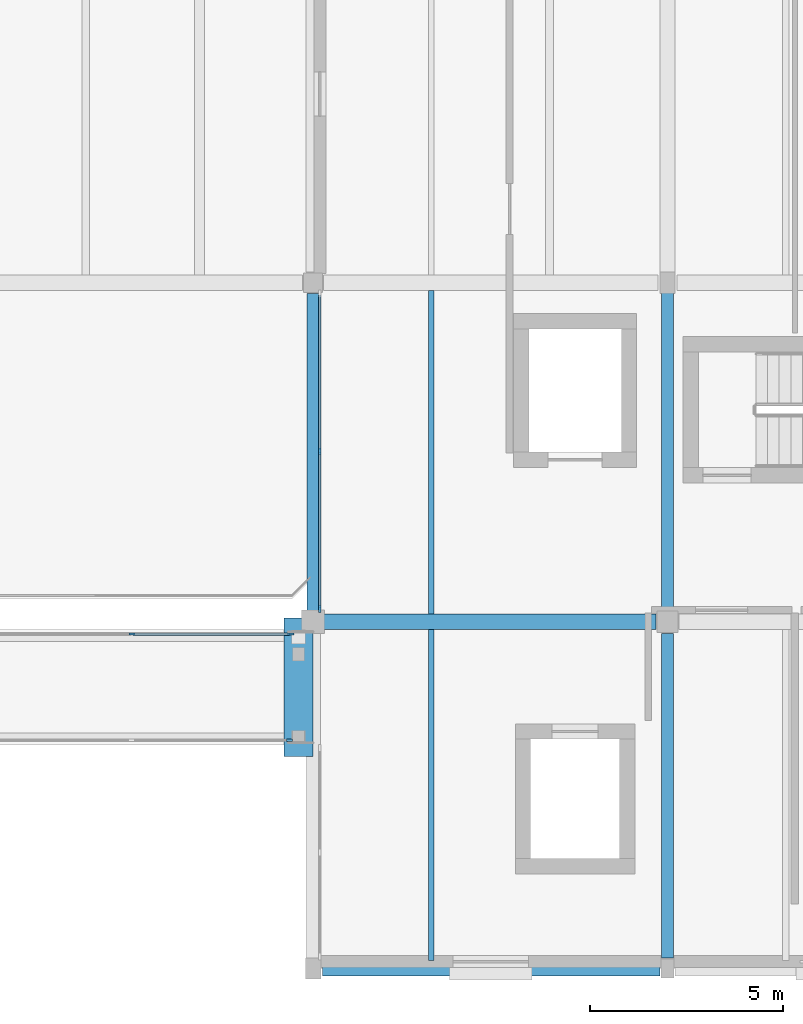
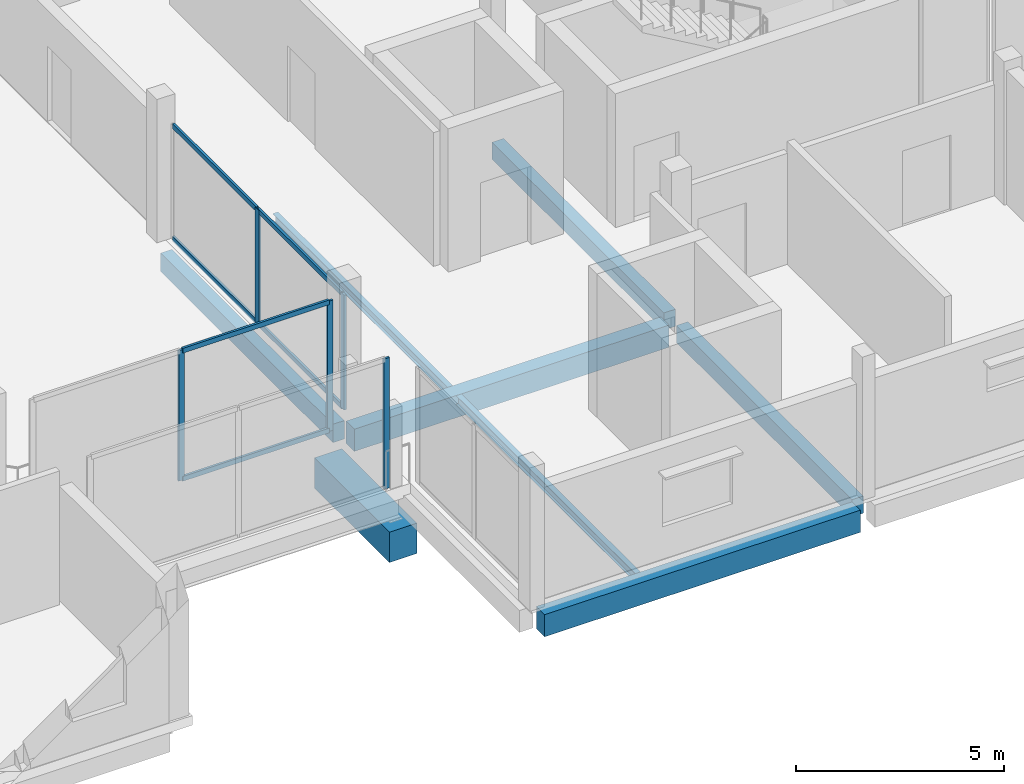
# One storey, part 12 of 41: 11 members, 8 beams, 3 elements without a shape of their own.
"""IFC4 building model written with IfcOpenShell, lengths in metres."""

from ifc_helpers import new_model, si_unit, direction, frame, origin, origin_2d, place, context, subcontext, project, spatial, rectangle, i_section, extrude, material, layer, layer_set, material_profile, profile_set, type_object, element, aggregate, save


model = new_model("IFC4")

# Units and contexts
model_context = context("Model", 3, precision=1e-05, world=origin(), true_north=direction((0.0, 1.0)))
body_context = subcontext(model_context, "Body", "Model", "MODEL_VIEW")
ifc_project = project(units=[si_unit("LENGTHUNIT", "METRE"), si_unit("AREAUNIT", "SQUARE_METRE"), si_unit("VOLUMEUNIT", "CUBIC_METRE"), si_unit("PLANEANGLEUNIT", "RADIAN"), si_unit("MASSUNIT", "GRAM", prefix="KILO")], contexts=[model_context])

# Site, building, storey
site_placement = place(None, origin())
site = spatial("IfcSite", under=ifc_project, at=site_placement, CompositionType="ELEMENT")
building_placement = place(site_placement, origin())
building = spatial("IfcBuilding", under=site, at=building_placement, Name="Birchvale Park Specialist Clinic", CompositionType="ELEMENT")
storey_placement = place(building_placement, frame((0.0, 0.0, 9.60009765625)))
storey = spatial("IfcBuildingStorey", under=building, at=storey_placement, Name="L02", CompositionType="ELEMENT", Elevation=9.60009765625)

# Beams
ifc_material_1 = material(Name="Concrete C40/50", Category="concrete")
ifc_material_profile_1 = material_profile(ifc_material_1, rectangle(XDim=0.320068359375, YDim=0.5400390625, at=origin_2d()), Name="RCB-320x540")
ifc_profile_set_1 = profile_set([ifc_material_profile_1], Name="Concrete C40/50")
beam_type_1 = type_object("IfcBeamType", Name="BM-EXT-BG7", PredefinedType="BEAM", material=ifc_profile_set_1)
beam_1_placement = place(storey_placement, frame((128.0, 26.050048828125, -0.580078125), z_axis=(0.0, 1.0, 0.0), x_axis=(-1.0, 0.0, 0.0)))
element("IfcBeam", 1, at=beam_1_placement, inside=storey, type_object=beam_type_1, Name="V5 L02 Y girder 21", PredefinedType="BEAM", context=body_context, shape_type="SweptSolid", body=[
    extrude(rectangle(XDim=0.320068359375, YDim=0.5400390625, at=origin_2d()), origin(), (0.0, 0.0, 1.0), 8.27490234375),
])
ifc_material_profile_2 = material_profile(ifc_material_1, rectangle(XDim=0.760009765625, YDim=0.889892578125, at=origin_2d()), Name="RCB-760x890")
ifc_profile_set_2 = profile_set([ifc_material_profile_2], Name="Concrete C40/50")
beam_type_2 = type_object("IfcBeamType", Name="BM-EXT-RB2", PredefinedType="BEAM", material=ifc_profile_set_2)
beam_2_placement = place(storey_placement, frame((127.6201171875, 22.300048828125, -1.43212890625), z_axis=(0.0, 1.0, 0.0), x_axis=(-1.0, 0.0, 0.0)))
element("IfcBeam", 2, at=beam_2_placement, inside=storey, type_object=beam_type_2, Name="L02 seismic joint RC corbel seat 760 mm BRG-3", PredefinedType="BEAM", context=body_context, shape_type="SweptSolid", body=[
    extrude(rectangle(XDim=0.760009765625, YDim=0.889892578125, at=origin_2d()), origin(), (0.0, 0.0, 1.0), 3.599853515625),
])
ifc_material_profile_3 = material_profile(ifc_material_1, rectangle(XDim=0.39990234375, YDim=0.64990234375, at=origin_2d()), Name="RCB-400x650")
ifc_profile_set_3 = profile_set([ifc_material_profile_3], Name="Concrete C40/50")
beam_type_3 = type_object("IfcBeamType", Name="BM-INT-BG4", PredefinedType="BEAM", material=ifc_profile_set_3)
beam_3_placement = place(storey_placement, frame((128.25, 16.800048828125, -0.625), z_axis=(1.0, 0.0, 0.0), x_axis=(0.0, 1.0, 0.0)))
element("IfcBeam", 3, at=beam_3_placement, inside=storey, type_object=beam_type_3, Name="V5 L02 X girder 1", PredefinedType="BEAM", context=body_context, shape_type="SweptSolid", body=[
    extrude(rectangle(XDim=0.39990234375, YDim=0.64990234375, at=origin_2d()), origin(), (0.0, 0.0, 1.0), 8.75),
])
beam_4_placement = place(storey_placement, frame((128.175048828125, 25.800048828125, -0.625), z_axis=(1.0, 0.0, 0.0), x_axis=(0.0, 1.0, 0.0)))
element("IfcBeam", 4, at=beam_4_placement, inside=storey, type_object=beam_type_3, Name="V5 L02 X girder 4", PredefinedType="BEAM", context=body_context, shape_type="SweptSolid", body=[
    extrude(rectangle(XDim=0.39990234375, YDim=0.64990234375, at=origin_2d()), origin(), (0.0, 0.0, 1.0), 8.724853515625),
])
ifc_material_profile_4 = material_profile(ifc_material_1, rectangle(XDim=0.320068359375, YDim=0.5, at=origin_2d()), Name="RCB-320x500")
ifc_profile_set_4 = profile_set([ifc_material_profile_4], Name="Concrete C40/50")
beam_type_4 = type_object("IfcBeamType", Name="BM-INT-BG7", PredefinedType="BEAM", material=ifc_profile_set_4)
beam_5_placement = place(storey_placement, frame((137.199951171875, 17.074951171875, -0.550048828125), z_axis=(0.0, 1.0, 0.0), x_axis=(-1.0, 0.0, 0.0)))
element("IfcBeam", 5, at=beam_5_placement, inside=storey, type_object=beam_type_4, Name="V5 L02 Y girder 25", PredefinedType="BEAM", context=body_context, shape_type="SweptSolid", body=[
    extrude(rectangle(XDim=0.320068359375, YDim=0.5, at=origin_2d()), origin(), (0.0, 0.0, 1.0), 8.425048828125),
])
beam_6_placement = place(storey_placement, frame((137.199951171875, 26.10009765625, -0.550048828125), z_axis=(0.0, 1.0, 0.0), x_axis=(-1.0, 0.0, 0.0)))
element("IfcBeam", 6, at=beam_6_placement, inside=storey, type_object=beam_type_4, Name="V5 L02 Y girder 26", PredefinedType="BEAM", context=body_context, shape_type="SweptSolid", body=[
    extrude(rectangle(XDim=0.320068359375, YDim=0.5, at=origin_2d()), origin(), (0.0, 0.0, 1.0), 8.25),
])

# Curtain wall, member
ifc_material_2 = material(Name="Thermally broken anodised aluminium", Category="aluminium")
ifc_layer_1 = layer(ifc_material_2, 0.14990234375)
ifc_layer_set_1 = layer_set([ifc_layer_1], Name="Thermally broken anodised aluminium")
curtain_wall_type_1 = type_object("IfcCurtainWallType", Name="CW-S2", PredefinedType="USERDEFINED", material=ifc_layer_set_1)
curtain_wall_1_placement = place(storey_placement, origin())
curtain_wall_1 = element("IfcCurtainWall", 7, at=curtain_wall_1_placement, inside=storey, type_object=curtain_wall_type_1, Name="V4 L02 glazed curtain wall 153", ObjectType="STICK", PredefinedType="USERDEFINED")
ifc_material_profile_5 = material_profile(ifc_material_2, rectangle(XDim=0.06005859375, YDim=0.159912109375, at=origin_2d()), Name="CWM-60x160")
ifc_profile_set_5 = profile_set([ifc_material_profile_5], Name="Thermally broken anodised aluminium")
member_type_1 = type_object("IfcMemberType", Name="CWM1", PredefinedType="MULLION", material=ifc_profile_set_5)
member_1_placement = place(storey_placement, frame((127.389892578125, 22.719970703125, 0.0), z_axis=(0.0, 0.0, 1.0), x_axis=(0.0, 1.0, 0.0)))
member_1 = element("IfcMember", 8, at=member_1_placement, type_object=member_type_1, Name="CW mullion 3", PredefinedType="MULLION", context=body_context, shape_type="SweptSolid", body=[
    extrude(rectangle(XDim=0.06005859375, YDim=0.159912109375, at=origin_2d()), origin(), (0.0, 0.0, 1.0), 3.81982421875),
])
aggregate(curtain_wall_1, [member_1])

# Curtain wall, members
curtain_wall_2_placement = place(storey_placement, origin())
curtain_wall_2 = element("IfcCurtainWall", 9, at=curtain_wall_2_placement, inside=storey, type_object=curtain_wall_type_1, Name="V4 L02 glazed curtain wall 154", ObjectType="STICK", PredefinedType="USERDEFINED")
member_2_placement = place(storey_placement, frame((127.419921875, 25.47998046875, 0.0), z_axis=(0.0, 0.0, 1.0), x_axis=(0.0, -1.0, 0.0)))
member_2 = element("IfcMember", 10, at=member_2_placement, type_object=member_type_1, Name="CW mullion 1", PredefinedType="MULLION", context=body_context, shape_type="SweptSolid", body=[
    extrude(rectangle(XDim=0.06005859375, YDim=0.159912109375, at=origin_2d()), origin(), (0.0, 0.0, 1.0), 3.81982421875),
])
member_3_placement = place(storey_placement, frame((123.300048828125, 25.47998046875, 0.0), z_axis=(0.0, 0.0, 1.0), x_axis=(0.0, -1.0, 0.0)))
member_3 = element("IfcMember", 11, at=member_3_placement, type_object=member_type_1, Name="CW mullion 2", PredefinedType="MULLION", context=body_context, shape_type="SweptSolid", body=[
    extrude(rectangle(XDim=0.06005859375, YDim=0.159912109375, at=origin_2d()), origin(), (0.0, 0.0, 1.0), 3.81982421875),
])

ifc_layer_2 = layer(ifc_material_2, 0.195068359375)
ifc_layer_set_2 = layer_set([ifc_layer_2], Name="Thermally broken anodised aluminium")
curtain_wall_type_2 = type_object("IfcCurtainWallType", Name="CW-U2", PredefinedType="USERDEFINED", material=ifc_layer_set_2)
curtain_wall_3_placement = place(storey_placement, origin())
curtain_wall_3 = element("IfcCurtainWall", 12, at=curtain_wall_3_placement, inside=storey, type_object=curtain_wall_type_2, Name="V5 L02 glazed curtain wall 112", ObjectType="UNITISED", PredefinedType="USERDEFINED")
ifc_material_profile_6 = material_profile(ifc_material_2, rectangle(XDim=0.06494140625, YDim=0.179931640625, at=origin_2d()), Name="CWM-65x180")
ifc_profile_set_6 = profile_set([ifc_material_profile_6], Name="Thermally broken anodised aluminium")
member_type_2 = type_object("IfcMemberType", Name="CWM2", PredefinedType="MULLION", material=ifc_profile_set_6)
member_4_placement = place(storey_placement, frame((128.175048828125, 30.22509765625, 0.0), z_axis=(0.0, 0.0, 1.0), x_axis=(1.0, 0.0, 0.0)))
member_4 = element("IfcMember", 13, at=member_4_placement, type_object=member_type_2, Name="CW mullion 2", PredefinedType="MULLION", context=body_context, shape_type="SweptSolid", body=[
    extrude(rectangle(XDim=0.06494140625, YDim=0.179931640625, at=origin_2d()), origin(), (0.0, 0.0, 1.0), 3.364990234375),
])
member_5_placement = place(storey_placement, frame((128.175048828125, 26.132568359375, 0.0), z_axis=(0.0, 0.0, 1.0), x_axis=(1.0, 0.0, 0.0)))
member_5 = element("IfcMember", 14, at=member_5_placement, type_object=member_type_2, Name="CW mullion 3", PredefinedType="MULLION", context=body_context, shape_type="SweptSolid", body=[
    extrude(rectangle(XDim=0.06494140625, YDim=0.179931640625, at=origin_2d()), origin(), (0.0, 0.0, 1.0), 3.364990234375),
])
ifc_material_profile_7 = material_profile(ifc_material_2, rectangle(XDim=0.06494140625, YDim=0.139892578125, at=origin_2d()), Name="CWT-65x140")
ifc_profile_set_7 = profile_set([ifc_material_profile_7], Name="Thermally broken anodised aluminium")
member_type_3 = type_object("IfcMemberType", Name="CWT2", PredefinedType="USERDEFINED", material=ifc_profile_set_7)
member_6_placement = place(storey_placement, frame((128.175048828125, 34.284912109375, 0.032470703125), z_axis=(0.0, -1.0, 0.0), x_axis=(1.0, 0.0, 0.0)))
member_6 = element("IfcMember", 15, at=member_6_placement, type_object=member_type_3, Name="CW transom 1.1", ObjectType="TRANSOM", PredefinedType="USERDEFINED", context=body_context, shape_type="SweptSolid", body=[
    extrude(rectangle(XDim=0.06494140625, YDim=0.139892578125, at=origin_2d()), origin(), (0.0, 0.0, 1.0), 4.02734375),
])
member_7_placement = place(storey_placement, frame((128.175048828125, 34.284912109375, 3.33251953125), z_axis=(0.0, -1.0, 0.0), x_axis=(1.0, 0.0, 0.0)))
member_7 = element("IfcMember", 16, at=member_7_placement, type_object=member_type_3, Name="CW transom 1.2", ObjectType="TRANSOM", PredefinedType="USERDEFINED", context=body_context, shape_type="SweptSolid", body=[
    extrude(rectangle(XDim=0.06494140625, YDim=0.139892578125, at=origin_2d()), origin(), (0.0, 0.0, 1.0), 4.02734375),
])
member_8_placement = place(storey_placement, frame((128.175048828125, 30.1923828125, 0.032470703125), z_axis=(0.0, -1.0, 0.0), x_axis=(1.0, 0.0, 0.0)))
member_8 = element("IfcMember", 17, at=member_8_placement, type_object=member_type_3, Name="CW transom 2.1", ObjectType="TRANSOM", PredefinedType="USERDEFINED", context=body_context, shape_type="SweptSolid", body=[
    extrude(rectangle(XDim=0.06494140625, YDim=0.139892578125, at=origin_2d()), origin(), (0.0, 0.0, 1.0), 4.02734375),
])
member_9_placement = place(storey_placement, frame((128.175048828125, 30.1923828125, 3.33251953125), z_axis=(0.0, -1.0, 0.0), x_axis=(1.0, 0.0, 0.0)))
member_9 = element("IfcMember", 18, at=member_9_placement, type_object=member_type_3, Name="CW transom 2.2", ObjectType="TRANSOM", PredefinedType="USERDEFINED", context=body_context, shape_type="SweptSolid", body=[
    extrude(rectangle(XDim=0.06494140625, YDim=0.139892578125, at=origin_2d()), origin(), (0.0, 0.0, 1.0), 4.02734375),
])
aggregate(curtain_wall_3, [member_4, member_5, member_6, member_7, member_8, member_9])

# Member
member_10_placement = place(storey_placement, frame((127.389892578125, 25.47998046875, 0.032470703125), z_axis=(-1.0, 0.0, 0.0), x_axis=(0.0, -1.0, 0.0)))
member_10 = element("IfcMember", 19, at=member_10_placement, type_object=member_type_3, Name="CW transom 1.1", ObjectType="TRANSOM", PredefinedType="USERDEFINED", context=body_context, shape_type="SweptSolid", body=[
    extrude(rectangle(XDim=0.06494140625, YDim=0.139892578125, at=origin_2d()), origin(), (0.0, 0.0, 1.0), 4.059814453125),
])

member_11_placement = place(storey_placement, frame((127.389892578125, 25.47998046875, 3.787353515625), z_axis=(-1.0, 0.0, 0.0), x_axis=(0.0, -1.0, 0.0)))
member_11 = element("IfcMember", 20, at=member_11_placement, type_object=member_type_3, Name="CW transom 1.2", ObjectType="TRANSOM", PredefinedType="USERDEFINED", context=body_context, shape_type="SweptSolid", body=[
    extrude(rectangle(XDim=0.06494140625, YDim=0.139892578125, at=origin_2d()), origin(), (0.0, 0.0, 1.0), 4.059814453125),
])

aggregate(curtain_wall_2, [member_2, member_3, member_10, member_11])

# Beams
ifc_material_3 = material(Name="Steel ASTM A992 Grade 50", Category="steel")
ifc_material_profile_8 = material_profile(ifc_material_3, i_section(OverallWidth=0.14697265625, OverallDepth=0.261962890625, WebThickness=0.006591796875, FlangeThickness=0.01123046875, at=origin_2d()), Name="W10X26")
ifc_profile_set_8 = profile_set([ifc_material_profile_8], Name="Steel ASTM A992 Grade 50")
beam_type_5 = type_object("IfcBeamType", Name="STL-INT-SJ5", PredefinedType="JOIST", material=ifc_profile_set_8)
beam_7_placement = place(storey_placement, frame((131.066650390625, 17.0, -0.43115234375), z_axis=(0.0, 1.0, 0.0), x_axis=(-1.0, 0.0, 0.0)))
element("IfcBeam", 21, at=beam_7_placement, inside=storey, type_object=beam_type_5, Name="V5 L02 secondary floor joist 3", PredefinedType="JOIST", context=body_context, shape_type="SweptSolid", body=[
    extrude(i_section(OverallWidth=0.14697265625, OverallDepth=0.261962890625, WebThickness=0.006591796875, FlangeThickness=0.01123046875, at=origin_2d()), origin(), (0.0, 0.0, 1.0), 8.60009765625),
])
beam_8_placement = place(storey_placement, frame((131.066650390625, 26.0, -0.43115234375), z_axis=(0.0, 1.0, 0.0), x_axis=(-1.0, 0.0, 0.0)))
element("IfcBeam", 22, at=beam_8_placement, inside=storey, type_object=beam_type_5, Name="V5 L02 secondary floor joist 4", PredefinedType="JOIST", context=body_context, shape_type="SweptSolid", body=[
    extrude(i_section(OverallWidth=0.14697265625, OverallDepth=0.261962890625, WebThickness=0.006591796875, FlangeThickness=0.01123046875, at=origin_2d()), origin(), (0.0, 0.0, 1.0), 8.39990234375),
])

save(model, "model.ifc")
